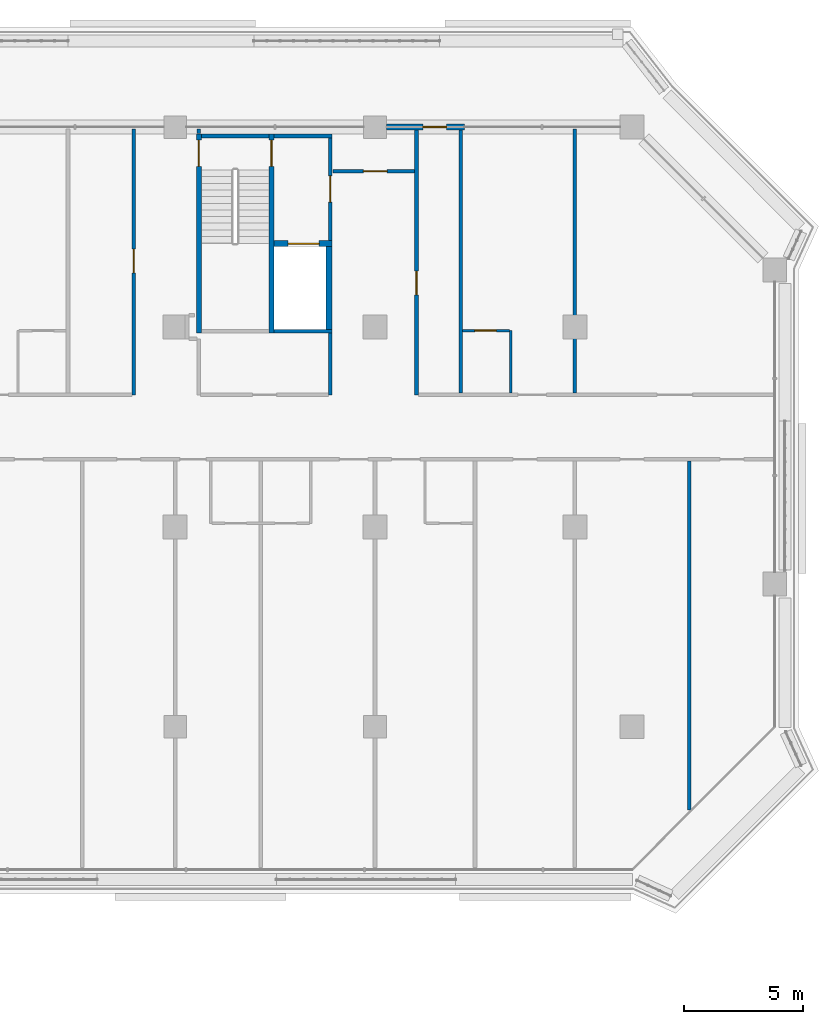
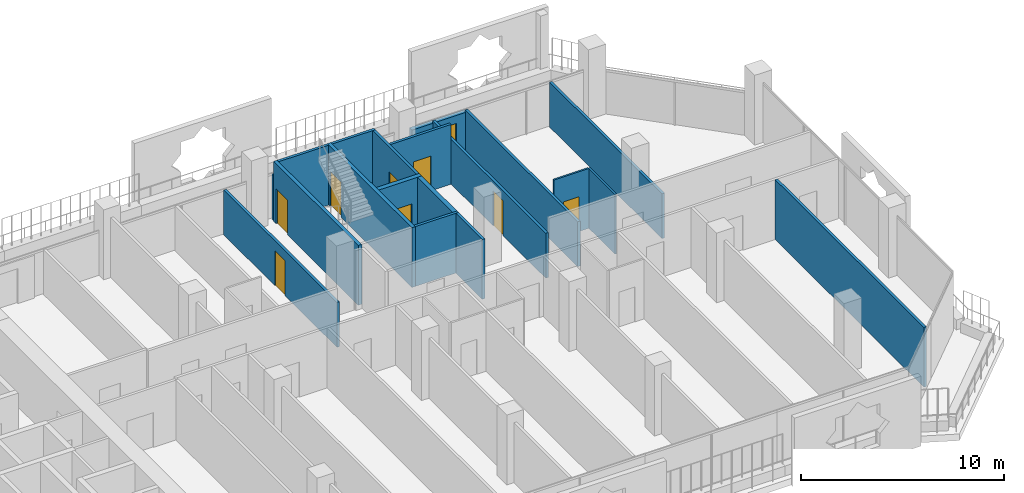
# One storey, part 14 of 23: 19 walls, 9 doors, 9 openings.
"""IFC4 building model written with IfcOpenShell, lengths in metres."""

from ifc_helpers import new_model, si_unit, direction, frame, frame_2d, origin, place, context, subcontext, project, spatial, rectangle, extrude, material, layer, layer_set, type_object, element, fill, save


model = new_model("IFC4")

# Units and contexts
model_context = context("Model", 3, precision=1e-05, world=origin(), true_north=direction((0.0, 1.0)))
body_context = subcontext(model_context, "Body", "Model", "MODEL_VIEW")
ifc_project = project(units=[si_unit("LENGTHUNIT", "METRE"), si_unit("AREAUNIT", "SQUARE_METRE"), si_unit("VOLUMEUNIT", "CUBIC_METRE"), si_unit("PLANEANGLEUNIT", "RADIAN"), si_unit("MASSUNIT", "GRAM", prefix="KILO")], contexts=[model_context])

# Site, building, storey
site_placement = place(None, origin())
site = spatial("IfcSite", under=ifc_project, at=site_placement, CompositionType="ELEMENT")
building_placement = place(site_placement, origin())
building = spatial("IfcBuilding", under=site, at=building_placement, Name="Kawkab Arch Medical Tower", CompositionType="ELEMENT")
storey_placement = place(building_placement, frame((0.0, 0.0, 175.199951171875)))
storey = spatial("IfcBuildingStorey", under=building, at=storey_placement, Name="L40", CompositionType="ELEMENT", Elevation=175.199951171875)

# Wall, opening, door
ifc_material_1 = material(Name="Gypsum board on steel studs", Category="steel")
ifc_layer_1 = layer(ifc_material_1, 0.14990234375)
ifc_layer_set_1 = layer_set([ifc_layer_1], Name="Gypsum board on steel studs")
wall_type_1 = type_object("IfcWallType", Name="Core room partition 150", PredefinedType="PARTITIONING", material=ifc_layer_set_1)
wall_1_placement = place(storey_placement, frame((48.52490234375, -4.77490234375, 0.0), z_axis=(0.0, 0.0, 1.0), x_axis=(0.0, 1.0, 0.0)))
wall_1 = element("IfcWall", 1, at=wall_1_placement, inside=storey, type_object=wall_type_1, Name="L40 core room partition", PredefinedType="PARTITIONING", context=body_context, shape_type="SweptSolid", body=[
    extrude(rectangle(XDim=4.324951171875, YDim=0.14990234375, at=frame_2d((2.16259765625, 0.0))), origin(), (0.0, 0.0, 1.0), 3.60009765625),
])
opening_1_placement = place(wall_1_placement, frame((1.625, 0.0, 0.0)))
opening_1 = element("IfcOpeningElement", 2, at=opening_1_placement, cuts=wall_1, Name="Opening FD", PredefinedType="OPENING", context=body_context, shape_type="SweptSolid", body=[
    extrude(rectangle(XDim=1.10009765625, YDim=2.10009765625, at=frame_2d((0.550048828125, 1.050048828125))), frame((0.0, 0.0849609375, 0.0), z_axis=(0.0, -1.0, 0.0), x_axis=(1.0, 0.0, 0.0)), (0.0, 0.0, 1.0), 0.169921875),
])
ifc_material_2 = material(Name="Hollow metal fire door leaf")
door_type_1 = type_object("IfcDoorType", Name="Firefighting lobby door 1100", OperationType="SINGLE_SWING_LEFT", PredefinedType="DOOR", material=ifc_material_2)
door_1_placement = place(opening_1_placement, origin())
door_1 = element("IfcDoor", 3, at=door_1_placement, inside=storey, type_object=door_type_1, Name="L40 Service lift lobby door SV1", OperationType="SINGLE_SWING_LEFT", OverallHeight=2.10009765625, OverallWidth=1.10009765625, PredefinedType="DOOR", context=body_context, shape_type="SweptSolid", body=[
    extrude(rectangle(XDim=1.10009765625, YDim=2.10009765625, at=frame_2d((0.550048828125, 1.050048828125))), frame((0.0, 0.02490234375, 0.0), z_axis=(0.0, -1.0, 0.0), x_axis=(1.0, 0.0, 0.0)), (0.0, 0.0, 1.0), 0.050048828125),
])
fill(opening_1, door_1)

ifc_material_3 = material(Name="Concrete C60/75", Category="concrete")
ifc_layer_2 = layer(ifc_material_3, 0.25)
ifc_layer_set_2 = layer_set([ifc_layer_2], Name="Concrete C60/75")
wall_type_2 = type_object("IfcWallType", Name="Core shear wall 250 C60/75", PredefinedType="SHEAR", material=ifc_layer_set_2)
wall_2_placement = place(storey_placement, frame((46.14990234375, -4.89990234375, 0.0), z_axis=(0.0, 0.0, 1.0), x_axis=(1.0, 0.0, 0.0)))
wall_2 = element("IfcWall", 4, at=wall_2_placement, inside=storey, type_object=wall_type_2, Name="L40 core shear wall", PredefinedType="SHEAR", context=body_context, shape_type="SweptSolid", body=[
    extrude(rectangle(XDim=2.4501953125, YDim=0.25, at=frame_2d((1.22509765625, 0.0))), origin(), (0.0, 0.0, 1.0), 3.60009765625),
])
opening_2_placement = place(wall_2_placement, frame((0.60009765625, 0.0, 0.0)))
opening_2 = element("IfcOpeningElement", 5, at=opening_2_placement, cuts=wall_2, Name="Opening LD2", PredefinedType="OPENING", context=body_context, shape_type="SweptSolid", body=[
    extrude(rectangle(XDim=1.300048828125, YDim=2.10009765625, at=frame_2d((0.64990234375, 1.050048828125))), frame((0.0, 0.135009765625, 0.0), z_axis=(0.0, -1.0, 0.0), x_axis=(1.0, 0.0, 0.0)), (0.0, 0.0, 1.0), 0.27001953125),
])
ifc_material_4 = material(Name="Stainless steel lift door leaf", Category="steel")
door_type_2 = type_object("IfcDoorType", Name="Lift landing door 1300", OperationType="DOUBLE_DOOR_SLIDING", PredefinedType="DOOR", material=ifc_material_4)
door_2_placement = place(opening_2_placement, origin())
door_2 = element("IfcDoor", 6, at=door_2_placement, inside=storey, type_object=door_type_2, Name="L40 Lift landing door SV1", OperationType="DOUBLE_DOOR_SLIDING", OverallHeight=2.10009765625, OverallWidth=1.300048828125, PredefinedType="DOOR", context=body_context, shape_type="SweptSolid", body=[
    extrude(rectangle(XDim=1.300048828125, YDim=2.10009765625, at=frame_2d((0.64990234375, 1.050048828125))), frame((0.0, 0.02490234375, 0.0), z_axis=(0.0, -1.0, 0.0), x_axis=(1.0, 0.0, 0.0)), (0.0, 0.0, 1.0), 0.050048828125),
])
fill(opening_2, door_2)

# Wall
wall_3_placement = place(storey_placement, frame((48.47509765625, -8.5, 0.0), z_axis=(0.0, 0.0, 1.0), x_axis=(0.0, 1.0, 0.0)))
element("IfcWall", 7, at=wall_3_placement, inside=storey, type_object=wall_type_2, Name="L40 core shear wall", PredefinedType="SHEAR", context=body_context, shape_type="SweptSolid", body=[
    extrude(rectangle(XDim=3.47509765625, YDim=0.25, at=frame_2d((1.737548828125, 0.0))), origin(), (0.0, 0.0, 1.0), 3.60009765625),
])

# Wall, opening, door
ifc_material_5 = material(Name="Bronze clad insulated wall panel")
ifc_layer_3 = layer(ifc_material_5, 0.25)
ifc_layer_set_3 = layer_set([ifc_layer_3], Name="Bronze clad insulated wall panel")
wall_type_3 = type_object("IfcWallType", Name="External wall bay 250", PredefinedType="SOLIDWALL", material=ifc_layer_set_3)
wall_4_placement = place(storey_placement, frame((54.14990234375, 0.0, 0.0), z_axis=(0.0, 0.0, 1.0), x_axis=(-1.0, 0.0, 0.0)))
wall_4 = element("IfcWall", 8, at=wall_4_placement, inside=storey, type_object=wall_type_3, Name="External wall bay L40.R11.1.3", PredefinedType="SOLIDWALL", context=body_context, shape_type="SweptSolid", body=[
    extrude(rectangle(XDim=3.27490234375, YDim=0.25, at=frame_2d((1.637451171875, 0.0))), origin(), (0.0, 0.0, 1.0), 2.580078125),
])
opening_3_placement = place(wall_4_placement, frame((0.737548828125, 0.0, 0.0)))
opening_3 = element("IfcOpeningElement", 9, at=opening_3_placement, cuts=wall_4, Name="Opening W40-701", PredefinedType="OPENING", context=body_context, shape_type="SweptSolid", body=[
    extrude(rectangle(XDim=1.0, YDim=2.10009765625, at=frame_2d((0.5, 1.050048828125))), frame((0.0, 0.135009765625, 0.0), z_axis=(0.0, -1.0, 0.0), x_axis=(1.0, 0.0, 0.0)), (0.0, 0.0, 1.0), 0.27001953125),
])
ifc_material_6 = material(Name="Bronze anodised aluminium door with tinted glass", Category="aluminium")
door_type_3 = type_object("IfcDoorType", Name="Single external door 1000 x 2100", OperationType="SINGLE_SWING_LEFT", PredefinedType="DOOR", material=ifc_material_6)
door_3_placement = place(opening_3_placement, origin())
door_3 = element("IfcDoor", 10, at=door_3_placement, inside=storey, type_object=door_type_3, Name="External door L40.R11.1.3", OperationType="SINGLE_SWING_LEFT", OverallHeight=2.10009765625, OverallWidth=1.0, PredefinedType="DOOR", context=body_context, shape_type="SweptSolid", body=[
    extrude(rectangle(XDim=1.0, YDim=2.10009765625, at=frame_2d((0.5, 1.050048828125))), frame((0.0, 0.02490234375, 0.0), z_axis=(0.0, -1.0, 0.0), x_axis=(1.0, 0.0, 0.0)), (0.0, 0.0, 1.0), 0.050048828125),
])
fill(opening_3, door_3)

ifc_material_7 = material(Name="Gypsum board partition on steel studs", Category="steel")
ifc_layer_4 = layer(ifc_material_7, 0.10009765625)
ifc_layer_set_4 = layer_set([ifc_layer_4], Name="Gypsum board partition on steel studs")
wall_type_4 = type_object("IfcWallType", Name="Partition 100", PredefinedType="PARTITIONING", material=ifc_layer_set_4)
wall_5_placement = place(storey_placement, frame((54.074951171875, -8.550048828125, 0.0), z_axis=(0.0, 0.0, 1.0), x_axis=(1.0, 0.0, 0.0)))
wall_5 = element("IfcWall", 11, at=wall_5_placement, inside=storey, type_object=wall_type_4, Name="Partition 100 w006", PredefinedType="PARTITIONING", context=body_context, shape_type="SweptSolid", body=[
    extrude(rectangle(XDim=1.97509765625, YDim=0.10009765625, at=frame_2d((0.987548828125, 0.0))), origin(), (0.0, 0.0, 1.0), 3.60009765625),
])
opening_4_placement = place(wall_5_placement, frame((0.52490234375, 0.0, 0.0)))
opening_4 = element("IfcOpeningElement", 12, at=opening_4_placement, cuts=wall_5, Name="Opening W40-006", PredefinedType="OPENING", context=body_context, shape_type="SweptSolid", body=[
    extrude(rectangle(XDim=0.89990234375, YDim=2.10009765625, at=frame_2d((0.449951171875, 1.050048828125))), frame((0.0, 0.06005859375, 0.0), z_axis=(0.0, -1.0, 0.0), x_axis=(1.0, 0.0, 0.0)), (0.0, 0.0, 1.0), 0.1201171875),
])
ifc_material_8 = material(Name="Timber door leaf", Category="wood")
door_type_4 = type_object("IfcDoorType", Name="Single door 900x2100", OperationType="NOTDEFINED", PredefinedType="DOOR", material=ifc_material_8)
door_4_placement = place(opening_4_placement, origin())
door_4 = element("IfcDoor", 13, at=door_4_placement, inside=storey, type_object=door_type_4, Name="Door W40-006", OperationType="SINGLE_SWING_RIGHT", OverallHeight=2.10009765625, OverallWidth=0.89990234375, PredefinedType="DOOR", context=body_context, shape_type="SweptSolid", body=[
    extrude(rectangle(XDim=0.89990234375, YDim=2.10009765625, at=frame_2d((0.449951171875, 1.050048828125))), frame((0.0, 0.02490234375, 0.0), z_axis=(0.0, -1.0, 0.0), x_axis=(1.0, 0.0, 0.0)), (0.0, 0.0, 1.0), 0.050048828125),
])
fill(opening_4, door_4)

# Wall
wall_6_placement = place(storey_placement, frame((56.10009765625, -11.175048828125, 0.0), z_axis=(0.0, 0.0, 1.0), x_axis=(0.0, 1.0, 0.0)))
element("IfcWall", 14, at=wall_6_placement, inside=storey, type_object=wall_type_4, Name="Partition 100 w014", PredefinedType="PARTITIONING", context=body_context, shape_type="SweptSolid", body=[
    extrude(rectangle(XDim=2.625, YDim=0.10009765625, at=frame_2d((1.3125, 0.0))), origin(), (0.0, 0.0, 1.0), 3.60009765625),
])

# Wall, opening, door
ifc_material_9 = material(Name="Gypsum board partition on steel studs, mineral wool", Category="steel")
ifc_layer_5 = layer(ifc_material_9, 0.14990234375)
ifc_layer_set_5 = layer_set([ifc_layer_5], Name="Gypsum board partition on steel studs, mineral wool")
wall_type_5 = type_object("IfcWallType", Name="Partition 150", PredefinedType="PARTITIONING", material=ifc_layer_set_5)
wall_7_placement = place(storey_placement, frame((48.6298828125, -1.85009765625, 0.0), z_axis=(0.0, 0.0, 1.0), x_axis=(1.0, 0.0, 0.0)))
wall_7 = element("IfcWall", 15, at=wall_7_placement, inside=storey, type_object=wall_type_5, Name="Partition 150 w036", PredefinedType="PARTITIONING", context=body_context, shape_type="SweptSolid", body=[
    extrude(rectangle(XDim=3.438232421875, YDim=0.14990234375, at=frame_2d((1.71923828125, 0.0))), origin(), (0.0, 0.0, 1.0), 3.60009765625),
])
opening_5_placement = place(wall_7_placement, frame((1.281982421875, 0.0, 0.0)))
opening_5 = element("IfcOpeningElement", 16, at=opening_5_placement, cuts=wall_7, Name="Opening W40-017", PredefinedType="OPENING", context=body_context, shape_type="SweptSolid", body=[
    extrude(rectangle(XDim=1.0, YDim=2.10009765625, at=frame_2d((0.5, 1.050048828125))), frame((0.0, 0.0849609375, 0.0), z_axis=(0.0, -1.0, 0.0), x_axis=(1.0, 0.0, 0.0)), (0.0, 0.0, 1.0), 0.169921875),
])
ifc_material_10 = material(Name="Hollow metal door leaf")
door_type_5 = type_object("IfcDoorType", Name="Single door 1000x2100 FD30S", OperationType="NOTDEFINED", PredefinedType="DOOR", material=ifc_material_10)
door_5_placement = place(opening_5_placement, origin())
door_5 = element("IfcDoor", 17, at=door_5_placement, inside=storey, type_object=door_type_5, Name="Door W40-017", OperationType="SINGLE_SWING_LEFT", OverallHeight=2.10009765625, OverallWidth=1.0, PredefinedType="DOOR", context=body_context, shape_type="SweptSolid", body=[
    extrude(rectangle(XDim=1.0, YDim=2.10009765625, at=frame_2d((0.5, 1.050048828125))), frame((0.0, 0.02490234375, 0.0), z_axis=(0.0, -1.0, 0.0), x_axis=(1.0, 0.0, 0.0)), (0.0, 0.0, 1.0), 0.050048828125),
])
fill(opening_5, door_5)

wall_8_placement = place(storey_placement, frame((40.257080078125, -11.25, 0.0), z_axis=(0.0, 0.0, 1.0), x_axis=(0.0, 1.0, 0.0)))
wall_8 = element("IfcWall", 18, at=wall_8_placement, inside=storey, type_object=wall_type_5, Name="Partition 150 w055", PredefinedType="PARTITIONING", context=body_context, shape_type="SweptSolid", body=[
    extrude(rectangle(XDim=11.169921875, YDim=0.14990234375, at=frame_2d((5.5849609375, 0.0))), origin(), (0.0, 0.0, 1.0), 2.699951171875),
])
opening_6_placement = place(wall_8_placement, frame((5.125, 0.0, 0.0)))
opening_6 = element("IfcOpeningElement", 19, at=opening_6_placement, cuts=wall_8, Name="Opening W40-015", PredefinedType="OPENING", context=body_context, shape_type="SweptSolid", body=[
    extrude(rectangle(XDim=1.0, YDim=2.10009765625, at=frame_2d((0.5, 1.050048828125))), frame((0.0, 0.0849609375, 0.0), z_axis=(0.0, -1.0, 0.0), x_axis=(1.0, 0.0, 0.0)), (0.0, 0.0, 1.0), 0.169921875),
])
door_6_placement = place(opening_6_placement, origin())
door_6 = element("IfcDoor", 20, at=door_6_placement, inside=storey, type_object=door_type_5, Name="Door W40-015", OperationType="SINGLE_SWING_LEFT", OverallHeight=2.10009765625, OverallWidth=1.0, PredefinedType="DOOR", context=body_context, shape_type="SweptSolid", body=[
    extrude(rectangle(XDim=1.0, YDim=2.10009765625, at=frame_2d((0.5, 1.050048828125))), frame((0.0, 0.02490234375, 0.0), z_axis=(0.0, -1.0, 0.0), x_axis=(1.0, 0.0, 0.0)), (0.0, 0.0, 1.0), 0.050048828125),
])
fill(opening_6, door_6)

# Walls
wall_9_placement = place(storey_placement, frame((43.0, -0.27001953125, 0.0), z_axis=(0.0, 0.0, 1.0), x_axis=(0.0, 1.0, 0.0)))
element("IfcWall", 21, at=wall_9_placement, inside=storey, type_object=wall_type_5, Name="Partition 150 w059", PredefinedType="PARTITIONING", context=body_context, shape_type="SweptSolid", body=[
    extrude(rectangle(XDim=0.18994140625, YDim=0.14990234375, at=frame_2d((0.094970703125, 0.0))), origin(), (0.0, 0.0, 1.0), 2.699951171875),
])
wall_10_placement = place(storey_placement, frame((48.52490234375, -11.25, 0.0), z_axis=(0.0, 0.0, 1.0), x_axis=(0.0, 1.0, 0.0)))
element("IfcWall", 22, at=wall_10_placement, inside=storey, type_object=wall_type_5, Name="Partition 150 w061", PredefinedType="PARTITIONING", context=body_context, shape_type="SweptSolid", body=[
    extrude(rectangle(XDim=2.60009765625, YDim=0.14990234375, at=frame_2d((1.300048828125, 0.0))), origin(), (0.0, 0.0, 1.0), 3.60009765625),
])

# Wall, opening, door
wall_11_placement = place(storey_placement, frame((52.14306640625, -11.25, 0.0), z_axis=(0.0, 0.0, 1.0), x_axis=(0.0, 1.0, 0.0)))
wall_11 = element("IfcWall", 23, at=wall_11_placement, inside=storey, type_object=wall_type_5, Name="Partition 150 w063", PredefinedType="PARTITIONING", context=body_context, shape_type="SweptSolid", body=[
    extrude(rectangle(XDim=11.169921875, YDim=0.14990234375, at=frame_2d((5.5849609375, 0.0))), origin(), (0.0, 0.0, 1.0), 2.699951171875),
])
opening_7_placement = place(wall_11_placement, frame((4.199951171875, 0.0, 0.0)))
opening_7 = element("IfcOpeningElement", 24, at=opening_7_placement, cuts=wall_11, Name="Opening W40-018", PredefinedType="OPENING", context=body_context, shape_type="SweptSolid", body=[
    extrude(rectangle(XDim=1.0, YDim=2.10009765625, at=frame_2d((0.5, 1.050048828125))), frame((0.0, 0.0849609375, 0.0), z_axis=(0.0, -1.0, 0.0), x_axis=(1.0, 0.0, 0.0)), (0.0, 0.0, 1.0), 0.169921875),
])
door_7_placement = place(opening_7_placement, origin())
door_7 = element("IfcDoor", 25, at=door_7_placement, inside=storey, type_object=door_type_5, Name="Door W40-018", OperationType="SINGLE_SWING_RIGHT", OverallHeight=2.10009765625, OverallWidth=1.0, PredefinedType="DOOR", context=body_context, shape_type="SweptSolid", body=[
    extrude(rectangle(XDim=1.0, YDim=2.10009765625, at=frame_2d((0.5, 1.050048828125))), frame((0.0, 0.02490234375, 0.0), z_axis=(0.0, -1.0, 0.0), x_axis=(1.0, 0.0, 0.0)), (0.0, 0.0, 1.0), 0.050048828125),
])
fill(opening_7, door_7)

# Walls
for number, where, z_axis, x_axis, name in (
    (26, (54.0, -11.175048828125, 0.0), (0.0, 0.0, 1.0), (0.0, 1.0, 0.0), "Partition 150 w064"),
    (27, (58.800048828125, -11.175048828125, 0.0), (0.0, 0.0, 1.0), (0.0, 1.0, 0.0), "Partition 150 w067"),
):
    element("IfcWall", number, at=place(storey_placement, frame(where, z_axis=z_axis, x_axis=x_axis)), inside=storey, type_object=wall_type_5, Name=name, PredefinedType="PARTITIONING", context=body_context, shape_type="SweptSolid", body=[
        extrude(rectangle(XDim=11.094970703125, YDim=0.14990234375, at=frame_2d((5.54736328125, 0.0))), origin(), (0.0, 0.0, 1.0), 2.699951171875),
    ])
wall_12_placement = place(storey_placement, frame((63.60009765625, -28.68701171875, 0.0), z_axis=(0.0, 0.0, 1.0), x_axis=(0.0, 1.0, 0.0)))
element("IfcWall", 28, at=wall_12_placement, inside=storey, type_object=wall_type_5, Name="Partition 150 w068", PredefinedType="PARTITIONING", context=body_context, shape_type="SweptSolid", body=[
    extrude(rectangle(XDim=14.662109375, YDim=0.14990234375, at=frame_2d((7.3310546875, 0.0))), origin(), (0.0, 0.0, 1.0), 3.60009765625),
])
ifc_material_11 = material(Name="Concrete C50/60", Category="concrete")
ifc_layer_6 = layer(ifc_material_11, 0.14990234375)
ifc_layer_set_6 = layer_set([ifc_layer_6], Name="Concrete C50/60")
wall_type_6 = type_object("IfcWallType", Name="Stair enclosure wall 150 C50/60", PredefinedType="SHEAR", material=ifc_layer_set_6)
wall_13_placement = place(storey_placement, frame((43.10009765625, -0.375, 0.0), z_axis=(0.0, 0.0, 1.0), x_axis=(1.0, 0.0, 0.0)))
element("IfcWall", 29, at=wall_13_placement, inside=storey, type_object=wall_type_6, Name="L40 stair enclosure wall", PredefinedType="SHEAR", context=body_context, shape_type="SweptSolid", body=[
    extrude(rectangle(XDim=2.849853515625, YDim=0.14990234375, at=frame_2d((1.4248046875, 0.0))), origin(), (0.0, 0.0, 1.0), 3.60009765625),
])
for number, where, z_axis, x_axis, name in (
    (30, (46.14990234375, -0.375, 0.0), (0.0, 0.0, 1.0), (1.0, 0.0, 0.0), "L40 stair enclosure wall"),
    (31, (46.14990234375, -8.574951171875, 0.0), (0.0, 0.0, 1.0), (1.0, 0.0, 0.0), "L40 stair enclosure wall"),
):
    element("IfcWall", number, at=place(storey_placement, frame(where, z_axis=z_axis, x_axis=x_axis)), inside=storey, type_object=wall_type_6, Name=name, PredefinedType="SHEAR", context=body_context, shape_type="SweptSolid", body=[
        extrude(rectangle(XDim=2.4501953125, YDim=0.14990234375, at=frame_2d((1.22509765625, 0.0))), origin(), (0.0, 0.0, 1.0), 3.60009765625),
    ])

# Wall, opening, door
ifc_material_12 = material(Name="Concrete C50/60", Category="concrete")
ifc_layer_7 = layer(ifc_material_12, 0.199951171875)
ifc_layer_set_7 = layer_set([ifc_layer_7], Name="Concrete C50/60")
wall_type_7 = type_object("IfcWallType", Name="Stair enclosure wall 200 C50/60", PredefinedType="SHEAR", material=ifc_layer_set_7)
wall_14_placement = place(storey_placement, frame((43.0, -8.64990234375, 0.0), z_axis=(0.0, 0.0, 1.0), x_axis=(0.0, 1.0, 0.0)))
wall_14 = element("IfcWall", 32, at=wall_14_placement, inside=storey, type_object=wall_type_7, Name="L40 stair enclosure wall", PredefinedType="SHEAR", context=body_context, shape_type="SweptSolid", body=[
    extrude(rectangle(XDim=8.349853515625, YDim=0.199951171875, at=frame_2d((4.1748046875, 0.0))), origin(), (0.0, 0.0, 1.0), 3.60009765625),
])
opening_8_placement = place(wall_14_placement, frame((7.0, 0.0, 0.0)))
opening_8 = element("IfcOpeningElement", 33, at=opening_8_placement, cuts=wall_14, Name="Opening SD", PredefinedType="OPENING", context=body_context, shape_type="SweptSolid", body=[
    extrude(rectangle(XDim=1.10009765625, YDim=2.10009765625, at=frame_2d((0.550048828125, 1.050048828125))), frame((0.0, 0.10986328125, 0.0), z_axis=(0.0, -1.0, 0.0), x_axis=(1.0, 0.0, 0.0)), (0.0, 0.0, 1.0), 0.219970703125),
])
ifc_material_13 = material(Name="Hollow metal fire door leaf")
door_type_6 = type_object("IfcDoorType", Name="Exit stair door 1100", OperationType="SINGLE_SWING_LEFT", PredefinedType="DOOR", material=ifc_material_13)
door_8_placement = place(opening_8_placement, frame((1.10009765625, 0.0, 0.0), z_axis=(0.0, 0.0, 1.0), x_axis=(-1.0, 0.0, 0.0)))
door_8 = element("IfcDoor", 34, at=door_8_placement, inside=storey, type_object=door_type_6, Name="L40 Exit stair ST5 door", OperationType="SINGLE_SWING_LEFT", OverallHeight=2.10009765625, OverallWidth=1.10009765625, PredefinedType="DOOR", context=body_context, shape_type="SweptSolid", body=[
    extrude(rectangle(XDim=1.10009765625, YDim=2.10009765625, at=frame_2d((0.550048828125, 1.050048828125))), frame((0.0, 0.02490234375, 0.0), z_axis=(0.0, -1.0, 0.0), x_axis=(1.0, 0.0, 0.0)), (0.0, 0.0, 1.0), 0.050048828125),
])
fill(opening_8, door_8)

wall_15_placement = place(storey_placement, frame((46.050048828125, -8.64990234375, 0.0), z_axis=(0.0, 0.0, 1.0), x_axis=(0.0, 1.0, 0.0)))
wall_15 = element("IfcWall", 35, at=wall_15_placement, inside=storey, type_object=wall_type_7, Name="L40 stair enclosure wall", PredefinedType="SHEAR", context=body_context, shape_type="SweptSolid", body=[
    extrude(rectangle(XDim=8.349853515625, YDim=0.199951171875, at=frame_2d((4.1748046875, 0.0))), origin(), (0.0, 0.0, 1.0), 3.60009765625),
])
opening_9_placement = place(wall_15_placement, frame((7.0, 0.0, 0.0)))
opening_9 = element("IfcOpeningElement", 36, at=opening_9_placement, cuts=wall_15, Name="Opening SD", PredefinedType="OPENING", context=body_context, shape_type="SweptSolid", body=[
    extrude(rectangle(XDim=1.10009765625, YDim=2.10009765625, at=frame_2d((0.550048828125, 1.050048828125))), frame((0.0, 0.10986328125, 0.0), z_axis=(0.0, -1.0, 0.0), x_axis=(1.0, 0.0, 0.0)), (0.0, 0.0, 1.0), 0.219970703125),
])
door_9_placement = place(opening_9_placement, origin())
door_9 = element("IfcDoor", 37, at=door_9_placement, inside=storey, type_object=door_type_6, Name="L40 Exit stair ST5 lobby door", OperationType="SINGLE_SWING_LEFT", OverallHeight=2.10009765625, OverallWidth=1.10009765625, PredefinedType="DOOR", context=body_context, shape_type="SweptSolid", body=[
    extrude(rectangle(XDim=1.10009765625, YDim=2.10009765625, at=frame_2d((0.550048828125, 1.050048828125))), frame((0.0, 0.02490234375, 0.0), z_axis=(0.0, -1.0, 0.0), x_axis=(1.0, 0.0, 0.0)), (0.0, 0.0, 1.0), 0.050048828125),
])
fill(opening_9, door_9)

save(model, "model.ifc")
